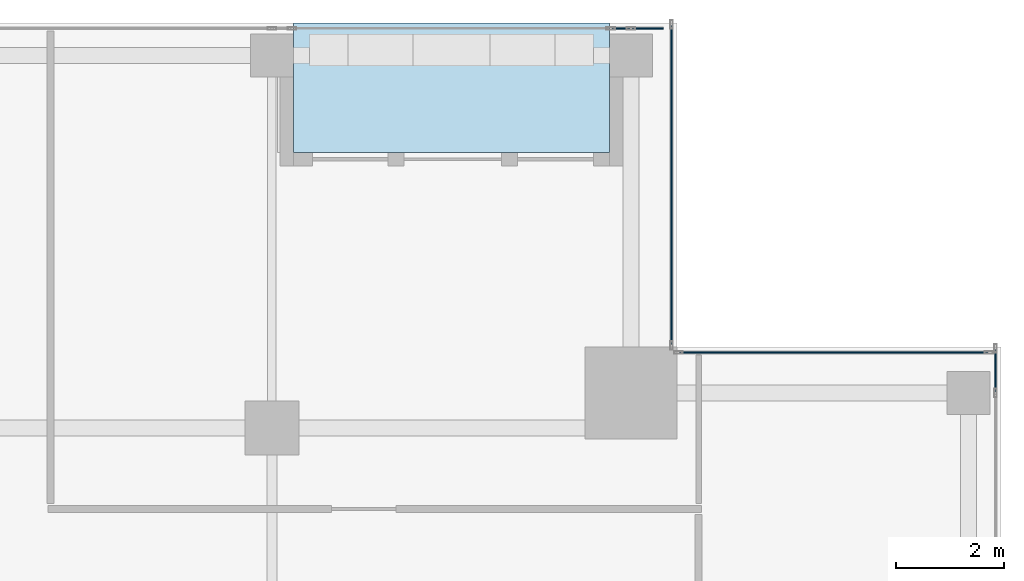
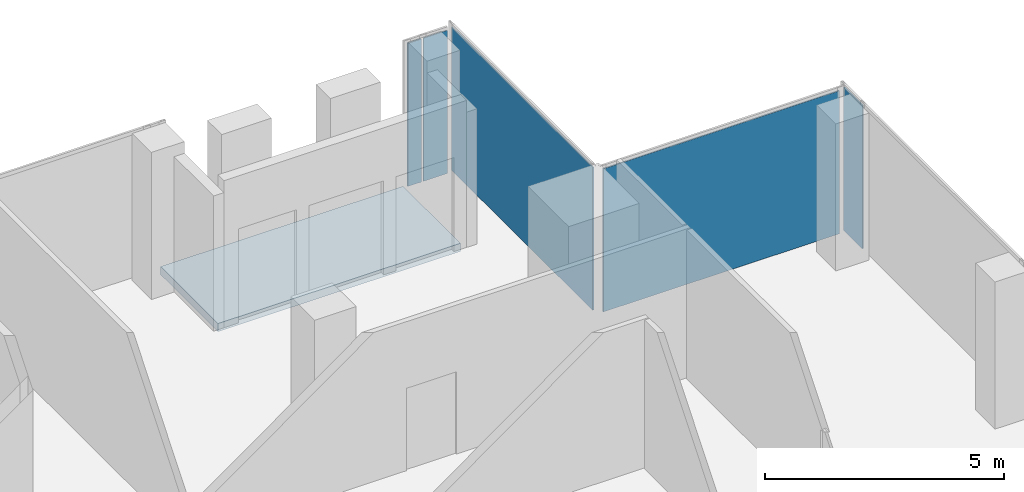
# One storey, part 24 of 29: 5 plates, 1 slab, 4 elements without a shape of their own.
"""IFC4 building model written with IfcOpenShell, lengths in metres."""

from ifc_helpers import new_model, si_unit, direction, frame, origin, origin_2d, place, context, subcontext, project, spatial, polyline, rectangle, outline, extrude, source, transform, mapped, material, layer, layer_set, type_object, element, aggregate, save


model = new_model("IFC4")

# Units and contexts
model_context = context("Model", 3, precision=1e-05, world=origin(), true_north=direction((0.0, 1.0)))
body_context = subcontext(model_context, "Body", "Model", "MODEL_VIEW")
ifc_project = project(units=[si_unit("LENGTHUNIT", "METRE"), si_unit("AREAUNIT", "SQUARE_METRE"), si_unit("VOLUMEUNIT", "CUBIC_METRE"), si_unit("PLANEANGLEUNIT", "RADIAN"), si_unit("MASSUNIT", "GRAM", prefix="KILO")], contexts=[model_context])

# Site, building, storey
site_placement = place(None, origin())
site = spatial("IfcSite", under=ifc_project, at=site_placement, CompositionType="ELEMENT")
building_placement = place(site_placement, origin())
building = spatial("IfcBuilding", under=site, at=building_placement, Name="Khomas Fold Tower", CompositionType="ELEMENT")
storey_placement = place(building_placement, frame((0.0, 0.0, 322.199951171875)))
storey = spatial("IfcBuildingStorey", under=building, at=storey_placement, Name="L73", CompositionType="ELEMENT", Elevation=322.199951171875)

# Curtain wall, plate
ifc_material_1 = material(Name="Aluminium framed double glazing", Category="aluminium")
curtain_wall_type = type_object("IfcCurtainWallType", Name="SK-Unitised clear-glass wall, upper floors CW3", PredefinedType="NOTDEFINED", material=ifc_material_1)
curtain_wall_1_placement = place(storey_placement, origin())
curtain_wall_1 = element("IfcCurtainWall", 1, at=curtain_wall_1_placement, inside=storey, type_object=curtain_wall_type, Name="CW3 run L73 06-0", PredefinedType="NOTDEFINED")
ifc_material_2 = material(Name="Clear double glazed unit")
ifc_layer_1 = layer(ifc_material_2, 0.028076171875)
ifc_layer_set_1 = layer_set([ifc_layer_1], Name="Clear double glazed unit")
plate_type = type_object("IfcPlateType", Name="SK-Unitised clear-glass wall, upper floors glass panel CW3-P", PredefinedType="CURTAIN_PANEL", material=ifc_layer_set_1)
shared_shape_1 = source(origin(), body_context, "Body", "SweptSolid", [
    extrude(rectangle(XDim=0.574951171875, YDim=0.028076171875, at=origin_2d()), origin(), (0.0, 0.0, 1.0), 3.64990234375),
])
plate_1_placement = place(storey_placement, frame((41.46240234375, 47.89990234375, 0.0), z_axis=(0.0, 0.0, 1.0), x_axis=(-1.0, 0.0, 0.0)))
plate_1 = element("IfcPlate", 2, at=plate_1_placement, type_object=plate_type, Name="CW3 glass panel 1", PredefinedType="CURTAIN_PANEL", context=body_context, shape_type="MappedRepresentation", body=[
    mapped(shared_shape_1, transform((0.0, 0.0, 0.0))),
])

curtain_wall_2_placement = place(storey_placement, origin())
curtain_wall_2 = element("IfcCurtainWall", 3, at=curtain_wall_2_placement, inside=storey, type_object=curtain_wall_type, Name="CW3 run L73 03-1", PredefinedType="NOTDEFINED")
shared_shape_2 = source(origin(), body_context, "Body", "SweptSolid", [
    extrude(rectangle(XDim=0.77490234375, YDim=0.028076171875, at=origin_2d()), origin(), (0.0, 0.0, 1.0), 3.64990234375),
])
plate_2_placement = place(storey_placement, frame((47.89990234375, 41.5625, 0.0), z_axis=(0.0, 0.0, 1.0), x_axis=(0.0, 1.0, 0.0)))
plate_2 = element("IfcPlate", 4, at=plate_2_placement, type_object=plate_type, Name="CW3 glass panel 4", PredefinedType="CURTAIN_PANEL", context=body_context, shape_type="MappedRepresentation", body=[
    mapped(shared_shape_2, transform((0.0, 0.0, 0.0))),
])
aggregate(curtain_wall_2, [plate_2])

curtain_wall_3_placement = place(storey_placement, origin())
curtain_wall_3 = element("IfcCurtainWall", 5, at=curtain_wall_3_placement, inside=storey, type_object=curtain_wall_type, Name="CW3 corner return L73 04", PredefinedType="NOTDEFINED")
shared_shape_3 = source(origin(), body_context, "Body", "SweptSolid", [
    extrude(rectangle(XDim=5.699951171875, YDim=0.028076171875, at=origin_2d()), origin(), (0.0, 0.0, 1.0), 3.64990234375),
])
plate_3_placement = place(storey_placement, frame((44.89990234375, 41.89990234375, 0.0), z_axis=(0.0, 0.0, 1.0), x_axis=(-1.0, 0.0, 0.0)))
plate_3 = element("IfcPlate", 6, at=plate_3_placement, type_object=plate_type, Name="CW3 glass panel 1", PredefinedType="CURTAIN_PANEL", context=body_context, shape_type="MappedRepresentation", body=[
    mapped(shared_shape_3, transform((0.0, 0.0, 0.0))),
])
aggregate(curtain_wall_3, [plate_3])

curtain_wall_4_placement = place(storey_placement, origin())
curtain_wall_4 = element("IfcCurtainWall", 7, at=curtain_wall_4_placement, inside=storey, type_object=curtain_wall_type, Name="CW3 corner return L73 05", PredefinedType="NOTDEFINED")
shared_shape_4 = source(origin(), body_context, "Body", "SweptSolid", [
    extrude(rectangle(XDim=5.89990234375, YDim=0.028076171875, at=origin_2d()), origin(), (0.0, 0.0, 1.0), 3.64990234375),
])
plate_4_placement = place(storey_placement, frame((41.89990234375, 45.0, 0.0), z_axis=(0.0, 0.0, 1.0), x_axis=(0.0, 1.0, 0.0)))
plate_4 = element("IfcPlate", 8, at=plate_4_placement, type_object=plate_type, Name="CW3 glass panel 1", PredefinedType="CURTAIN_PANEL", context=body_context, shape_type="MappedRepresentation", body=[
    mapped(shared_shape_4, transform((0.0, 0.0, 0.0))),
])
aggregate(curtain_wall_4, [plate_4])

# Plate
shared_shape_5 = source(origin(), body_context, "Body", "SweptSolid", [
    extrude(rectangle(XDim=0.324951171875, YDim=0.028076171875, at=origin_2d()), origin(), (0.0, 0.0, 1.0), 3.64990234375),
])
plate_5_placement = place(storey_placement, frame((40.96240234375, 47.89990234375, 0.0), z_axis=(0.0, 0.0, 1.0), x_axis=(-1.0, 0.0, 0.0)))
plate_5 = element("IfcPlate", 9, at=plate_5_placement, type_object=plate_type, Name="CW3 glass panel 2", PredefinedType="CURTAIN_PANEL", context=body_context, shape_type="MappedRepresentation", body=[
    mapped(shared_shape_5, transform((0.0, 0.0, 0.0))),
])

aggregate(curtain_wall_1, [plate_1, plate_5])

# Slab
ifc_material_3 = material(Name="Concrete C40/50", Category="concrete")
ifc_layer_2 = layer(ifc_material_3, 0.205078125)
ifc_layer_set_2 = layer_set([ifc_layer_2], Name="Concrete C40/50")
slab_type = type_object("IfcSlabType", Name="BL-Balcony deck 205", PredefinedType="FLOOR", material=ifc_layer_set_2)
shared_shape_6 = source(origin(), body_context, "Body", "SweptSolid", [
    extrude(outline(polyline([(34.89990234375, 45.60009765625), (40.75, 45.60009765625), (40.75, 48.0), (34.89990234375, 48.0), (34.89990234375, 45.60009765625)])), origin(), (0.0, 0.0, 1.0), 0.205078125),
])
slab_placement = place(storey_placement, frame((0.0, 0.0, -0.25)))
element("IfcSlab", 10, at=slab_placement, inside=storey, type_object=slab_type, Name="Balcony deck BAL-L73-N4", PredefinedType="FLOOR", context=body_context, shape_type="MappedRepresentation", body=[
    mapped(shared_shape_6, transform((0.0, 0.0, 0.0))),
])

save(model, "model.ifc")
